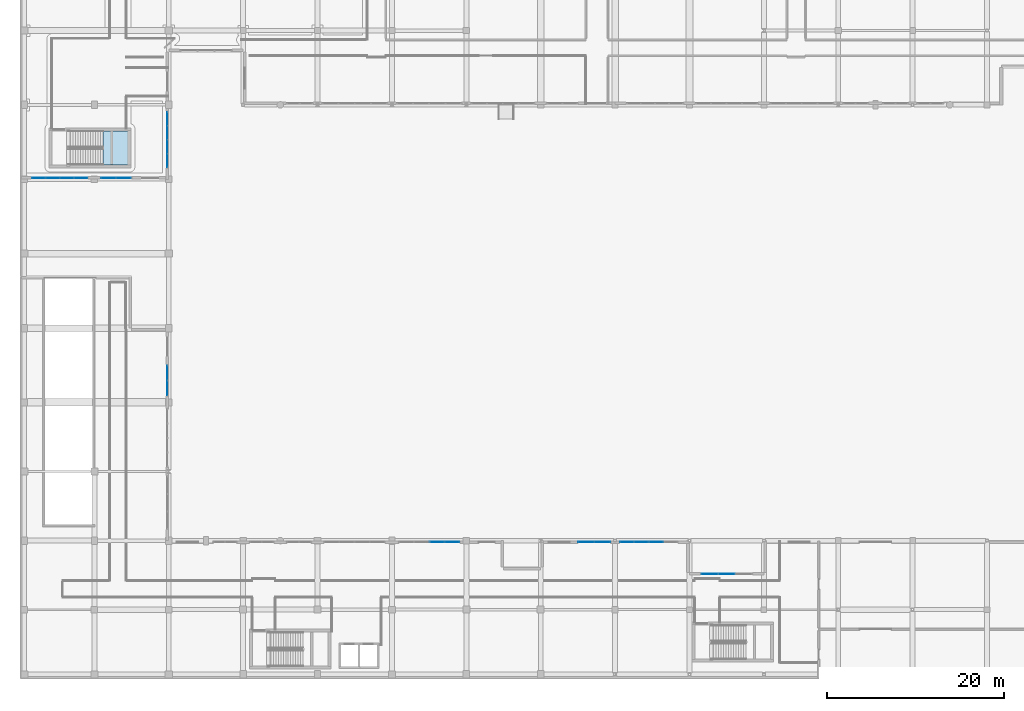
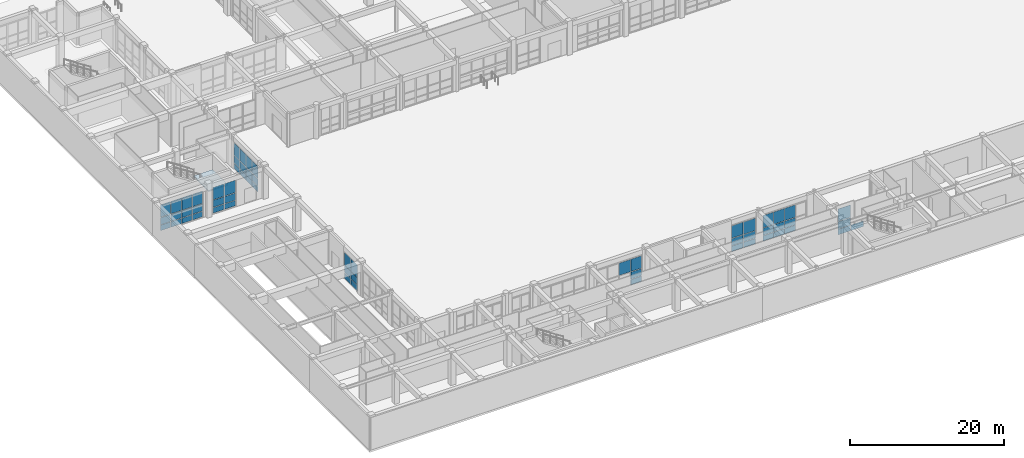
# One storey, part 110 of 148: 59 plates, 1 slab, 9 elements without a shape of their own.
"""IFC4 building model written with IfcOpenShell, lengths in metres."""

from ifc_helpers import new_model, si_unit, direction, frame, origin, origin_2d, place, context, subcontext, project, spatial, polyline, rectangle, outline, extrude, material, layer, layer_set, type_object, element, aggregate, save


model = new_model("IFC4")

# Units and contexts
model_context = context("Model", 3, precision=1e-05, world=origin(), true_north=direction((0.0, 1.0)))
body_context = subcontext(model_context, "Body", "Model", "MODEL_VIEW")
ifc_project = project(units=[si_unit("LENGTHUNIT", "METRE"), si_unit("AREAUNIT", "SQUARE_METRE"), si_unit("VOLUMEUNIT", "CUBIC_METRE"), si_unit("PLANEANGLEUNIT", "RADIAN"), si_unit("MASSUNIT", "GRAM", prefix="KILO")], contexts=[model_context])

# Site, building, storey
site_placement = place(None, origin())
site = spatial("IfcSite", under=ifc_project, at=site_placement, CompositionType="ELEMENT")
building_placement = place(site_placement, origin())
building = spatial("IfcBuilding", under=site, at=building_placement, Name="Quendrovan Civic Courthouse", CompositionType="ELEMENT")
storey_placement = place(building_placement, origin())
storey = spatial("IfcBuildingStorey", under=building, at=storey_placement, Name="L01", CompositionType="ELEMENT", Elevation=0.0)

# Curtain wall, plates
ifc_material_1 = material(Name="Bronze anodised aluminium and low-E glass", Category="aluminium")
ifc_layer_1 = layer(ifc_material_1, 0.179931640625, Name="Bronze anodised aluminium and low-E glass")
ifc_layer_set_1 = layer_set([ifc_layer_1], Name="Bronze anodised aluminium and low-E glass")
curtain_wall_type_1 = type_object("IfcCurtainWallType", Name="CW-U69x42", PredefinedType="USERDEFINED", material=ifc_layer_set_1)
curtain_wall_1_placement = place(storey_placement, origin())
curtain_wall_1 = element("IfcCurtainWall", 1, at=curtain_wall_1_placement, inside=storey, type_object=curtain_wall_type_1, Name="L01 Unitised Hurricane Curtain Wall CW-008", ObjectType="UNITISED CURTAIN WALL", PredefinedType="USERDEFINED")
ifc_material_2 = material(Name="Laminated hurricane-impact low-E glass", Category="glass")
ifc_layer_2 = layer(ifc_material_2, 0.028076171875, Name="Laminated hurricane-impact low-E glass")
ifc_layer_set_2 = layer_set([ifc_layer_2], Name="Laminated hurricane-impact low-E glass")
plate_type_1 = type_object("IfcPlateType", Name="CW-PNL-1", PredefinedType="CURTAIN_PANEL", material=ifc_layer_set_2)
plate_1_placement = place(storey_placement, frame((47.08740234375, 15.43505859375, 2.18505859375), z_axis=(0.0, 0.0, 1.0), x_axis=(1.0, 0.0, 0.0)))
plate_1 = element("IfcPlate", 2, at=plate_1_placement, type_object=plate_type_1, Name="CW-008 panel 3.3", PredefinedType="CURTAIN_PANEL", context=body_context, shape_type="SweptSolid", body=[
    extrude(rectangle(XDim=1.655029296875, YDim=0.028076171875, at=origin_2d()), origin(), (0.0, 0.0, 1.0), 1.945068359375),
])
plate_2_placement = place(storey_placement, frame((48.794921875, 15.43505859375, 0.06982421875), z_axis=(0.0, 0.0, 1.0), x_axis=(1.0, 0.0, 0.0)))
plate_2 = element("IfcPlate", 3, at=plate_2_placement, type_object=plate_type_1, Name="CW-008 panel 4.1", PredefinedType="CURTAIN_PANEL", context=body_context, shape_type="SweptSolid", body=[
    extrude(rectangle(XDim=1.6201171875, YDim=0.028076171875, at=origin_2d()), origin(), (0.0, 0.0, 1.0), 0.844970703125),
])
plate_3_placement = place(storey_placement, frame((48.794921875, 15.43505859375, 0.985107421875), z_axis=(0.0, 0.0, 1.0), x_axis=(1.0, 0.0, 0.0)))
plate_3 = element("IfcPlate", 4, at=plate_3_placement, type_object=plate_type_1, Name="CW-008 panel 4.2", PredefinedType="CURTAIN_PANEL", context=body_context, shape_type="SweptSolid", body=[
    extrude(rectangle(XDim=1.6201171875, YDim=0.028076171875, at=origin_2d()), origin(), (0.0, 0.0, 1.0), 1.1298828125),
])
plate_4_placement = place(storey_placement, frame((48.794921875, 15.43505859375, 2.18505859375), z_axis=(0.0, 0.0, 1.0), x_axis=(1.0, 0.0, 0.0)))
plate_4 = element("IfcPlate", 5, at=plate_4_placement, type_object=plate_type_1, Name="CW-008 panel 4.3", PredefinedType="CURTAIN_PANEL", context=body_context, shape_type="SweptSolid", body=[
    extrude(rectangle(XDim=1.6201171875, YDim=0.028076171875, at=origin_2d()), origin(), (0.0, 0.0, 1.0), 1.945068359375),
])
aggregate(curtain_wall_1, [plate_1, plate_2, plate_3, plate_4])

ifc_layer_3 = layer(ifc_material_1, 0.179931640625, Name="Bronze anodised aluminium and low-E glass")
ifc_layer_set_3 = layer_set([ifc_layer_3], Name="Bronze anodised aluminium and low-E glass")
curtain_wall_type_2 = type_object("IfcCurtainWallType", Name="CW-U35x42", PredefinedType="USERDEFINED", material=ifc_layer_set_3)
curtain_wall_2_placement = place(storey_placement, origin())
curtain_wall_2 = element("IfcCurtainWall", 6, at=curtain_wall_2_placement, inside=storey, type_object=curtain_wall_type_2, Name="L01 Unitised Hurricane Curtain Wall CW-001", ObjectType="UNITISED CURTAIN WALL", PredefinedType="USERDEFINED")
ifc_layer_4 = layer(ifc_material_2, 0.031982421875, Name="Laminated hurricane-impact low-E glass")
ifc_layer_set_4 = layer_set([ifc_layer_4], Name="Laminated hurricane-impact low-E glass")
plate_type_2 = type_object("IfcPlateType", Name="CW-PNL-2", PredefinedType="CURTAIN_PANEL", material=ifc_layer_set_4)
plate_5_placement = place(storey_placement, frame((16.635009765625, 34.514892578125, 0.06494140625), z_axis=(0.0, 0.0, 1.0), x_axis=(0.0, -1.0, 0.0)))
plate_5 = element("IfcPlate", 7, at=plate_5_placement, type_object=plate_type_2, Name="CW-001 panel 1.1", PredefinedType="CURTAIN_PANEL", context=body_context, shape_type="SweptSolid", body=[
    extrude(rectangle(XDim=1.639892578125, YDim=0.031982421875, at=origin_2d()), origin(), (0.0, 0.0, 1.0), 0.8525390625),
])
plate_6_placement = place(storey_placement, frame((16.635009765625, 34.514892578125, 0.982421875), z_axis=(0.0, 0.0, 1.0), x_axis=(0.0, -1.0, 0.0)))
plate_6 = element("IfcPlate", 8, at=plate_6_placement, type_object=plate_type_2, Name="CW-001 panel 1.2", PredefinedType="CURTAIN_PANEL", context=body_context, shape_type="SweptSolid", body=[
    extrude(rectangle(XDim=1.639892578125, YDim=0.031982421875, at=origin_2d()), origin(), (0.0, 0.0, 1.0), 1.135009765625),
])
plate_7_placement = place(storey_placement, frame((16.635009765625, 34.514892578125, 2.1826171875), z_axis=(0.0, 0.0, 1.0), x_axis=(0.0, -1.0, 0.0)))
plate_7 = element("IfcPlate", 9, at=plate_7_placement, type_object=plate_type_2, Name="CW-001 panel 1.3", PredefinedType="CURTAIN_PANEL", context=body_context, shape_type="SweptSolid", body=[
    extrude(rectangle(XDim=1.639892578125, YDim=0.031982421875, at=origin_2d()), origin(), (0.0, 0.0, 1.0), 1.952392578125),
])
plate_8_placement = place(storey_placement, frame((16.635009765625, 32.81005859375, 0.06494140625), z_axis=(0.0, 0.0, 1.0), x_axis=(0.0, -1.0, 0.0)))
plate_8 = element("IfcPlate", 10, at=plate_8_placement, type_object=plate_type_2, Name="CW-001 panel 2.1", PredefinedType="CURTAIN_PANEL", context=body_context, shape_type="SweptSolid", body=[
    extrude(rectangle(XDim=1.639892578125, YDim=0.031982421875, at=origin_2d()), origin(), (0.0, 0.0, 1.0), 0.8525390625),
])
plate_9_placement = place(storey_placement, frame((16.635009765625, 32.81005859375, 0.982421875), z_axis=(0.0, 0.0, 1.0), x_axis=(0.0, -1.0, 0.0)))
plate_9 = element("IfcPlate", 11, at=plate_9_placement, type_object=plate_type_2, Name="CW-001 panel 2.2", PredefinedType="CURTAIN_PANEL", context=body_context, shape_type="SweptSolid", body=[
    extrude(rectangle(XDim=1.639892578125, YDim=0.031982421875, at=origin_2d()), origin(), (0.0, 0.0, 1.0), 1.135009765625),
])
plate_10_placement = place(storey_placement, frame((16.635009765625, 32.81005859375, 2.1826171875), z_axis=(0.0, 0.0, 1.0), x_axis=(0.0, -1.0, 0.0)))
plate_10 = element("IfcPlate", 12, at=plate_10_placement, type_object=plate_type_2, Name="CW-001 panel 2.3", PredefinedType="CURTAIN_PANEL", context=body_context, shape_type="SweptSolid", body=[
    extrude(rectangle(XDim=1.639892578125, YDim=0.031982421875, at=origin_2d()), origin(), (0.0, 0.0, 1.0), 1.952392578125),
])
aggregate(curtain_wall_2, [plate_5, plate_6, plate_7, plate_8, plate_9, plate_10])

ifc_layer_5 = layer(ifc_material_1, 0.179931640625, Name="Bronze anodised aluminium and low-E glass")
ifc_layer_set_5 = layer_set([ifc_layer_5], Name="Bronze anodised aluminium and low-E glass")
curtain_wall_type_3 = type_object("IfcCurtainWallType", Name="CW-U37x42", PredefinedType="USERDEFINED", material=ifc_layer_set_5)
curtain_wall_3_placement = place(storey_placement, origin())
curtain_wall_3 = element("IfcCurtainWall", 13, at=curtain_wall_3_placement, inside=storey, type_object=curtain_wall_type_3, Name="L01 Unitised Hurricane Curtain Wall CW-009", ObjectType="UNITISED CURTAIN WALL", PredefinedType="USERDEFINED")
plate_11_placement = place(storey_placement, frame((63.941162109375, 15.43505859375, 0.06494140625), z_axis=(0.0, 0.0, 1.0), x_axis=(1.0, 0.0, 0.0)))
plate_11 = element("IfcPlate", 14, at=plate_11_placement, type_object=plate_type_2, Name="CW-009 panel 1.1", PredefinedType="CURTAIN_PANEL", context=body_context, shape_type="SweptSolid", body=[
    extrude(rectangle(XDim=1.75244140625, YDim=0.031982421875, at=origin_2d()), origin(), (0.0, 0.0, 1.0), 0.8525390625),
])
plate_12_placement = place(storey_placement, frame((63.941162109375, 15.43505859375, 0.982421875), z_axis=(0.0, 0.0, 1.0), x_axis=(1.0, 0.0, 0.0)))
plate_12 = element("IfcPlate", 15, at=plate_12_placement, type_object=plate_type_2, Name="CW-009 panel 1.2", PredefinedType="CURTAIN_PANEL", context=body_context, shape_type="SweptSolid", body=[
    extrude(rectangle(XDim=1.75244140625, YDim=0.031982421875, at=origin_2d()), origin(), (0.0, 0.0, 1.0), 1.135009765625),
])
plate_13_placement = place(storey_placement, frame((63.941162109375, 15.43505859375, 2.1826171875), z_axis=(0.0, 0.0, 1.0), x_axis=(1.0, 0.0, 0.0)))
plate_13 = element("IfcPlate", 16, at=plate_13_placement, type_object=plate_type_2, Name="CW-009 panel 1.3", PredefinedType="CURTAIN_PANEL", context=body_context, shape_type="SweptSolid", body=[
    extrude(rectangle(XDim=1.75244140625, YDim=0.031982421875, at=origin_2d()), origin(), (0.0, 0.0, 1.0), 1.952392578125),
])
plate_14_placement = place(storey_placement, frame((65.7587890625, 15.43505859375, 0.06494140625), z_axis=(0.0, 0.0, 1.0), x_axis=(1.0, 0.0, 0.0)))
plate_14 = element("IfcPlate", 17, at=plate_14_placement, type_object=plate_type_2, Name="CW-009 panel 2.1", PredefinedType="CURTAIN_PANEL", context=body_context, shape_type="SweptSolid", body=[
    extrude(rectangle(XDim=1.75244140625, YDim=0.031982421875, at=origin_2d()), origin(), (0.0, 0.0, 1.0), 0.8525390625),
])
plate_15_placement = place(storey_placement, frame((65.7587890625, 15.43505859375, 0.982421875), z_axis=(0.0, 0.0, 1.0), x_axis=(1.0, 0.0, 0.0)))
plate_15 = element("IfcPlate", 18, at=plate_15_placement, type_object=plate_type_2, Name="CW-009 panel 2.2", PredefinedType="CURTAIN_PANEL", context=body_context, shape_type="SweptSolid", body=[
    extrude(rectangle(XDim=1.75244140625, YDim=0.031982421875, at=origin_2d()), origin(), (0.0, 0.0, 1.0), 1.135009765625),
])
plate_16_placement = place(storey_placement, frame((65.7587890625, 15.43505859375, 2.1826171875), z_axis=(0.0, 0.0, 1.0), x_axis=(1.0, 0.0, 0.0)))
plate_16 = element("IfcPlate", 19, at=plate_16_placement, type_object=plate_type_2, Name="CW-009 panel 2.3", PredefinedType="CURTAIN_PANEL", context=body_context, shape_type="SweptSolid", body=[
    extrude(rectangle(XDim=1.75244140625, YDim=0.031982421875, at=origin_2d()), origin(), (0.0, 0.0, 1.0), 1.952392578125),
])
aggregate(curtain_wall_3, [plate_11, plate_12, plate_13, plate_14, plate_15, plate_16])

ifc_layer_6 = layer(ifc_material_1, 0.179931640625, Name="Bronze anodised aluminium and low-E glass")
ifc_layer_set_6 = layer_set([ifc_layer_6], Name="Bronze anodised aluminium and low-E glass")
curtain_wall_type_4 = type_object("IfcCurtainWallType", Name="CW-U63x42", PredefinedType="USERDEFINED", material=ifc_layer_set_6)
curtain_wall_4_placement = place(storey_placement, origin())
curtain_wall_4 = element("IfcCurtainWall", 20, at=curtain_wall_4_placement, inside=storey, type_object=curtain_wall_type_4, Name="L01 Unitised Hurricane Curtain Wall CW-013", ObjectType="UNITISED CURTAIN WALL", PredefinedType="USERDEFINED")
plate_17_placement = place(storey_placement, frame((16.635009765625, 63.218017578125, 0.06494140625), z_axis=(0.0, 0.0, 1.0), x_axis=(0.0, -1.0, 0.0)))
plate_17 = element("IfcPlate", 21, at=plate_17_placement, type_object=plate_type_2, Name="CW-013 panel 1.1", PredefinedType="CURTAIN_PANEL", context=body_context, shape_type="SweptSolid", body=[
    extrude(rectangle(XDim=1.483642578125, YDim=0.031982421875, at=origin_2d()), origin(), (0.0, 0.0, 1.0), 0.8525390625),
])
plate_18_placement = place(storey_placement, frame((16.635009765625, 63.218017578125, 0.982421875), z_axis=(0.0, 0.0, 1.0), x_axis=(0.0, -1.0, 0.0)))
plate_18 = element("IfcPlate", 22, at=plate_18_placement, type_object=plate_type_2, Name="CW-013 panel 1.2", PredefinedType="CURTAIN_PANEL", context=body_context, shape_type="SweptSolid", body=[
    extrude(rectangle(XDim=1.483642578125, YDim=0.031982421875, at=origin_2d()), origin(), (0.0, 0.0, 1.0), 1.135009765625),
])
plate_19_placement = place(storey_placement, frame((16.635009765625, 63.218017578125, 2.1826171875), z_axis=(0.0, 0.0, 1.0), x_axis=(0.0, -1.0, 0.0)))
plate_19 = element("IfcPlate", 23, at=plate_19_placement, type_object=plate_type_2, Name="CW-013 panel 1.3", PredefinedType="CURTAIN_PANEL", context=body_context, shape_type="SweptSolid", body=[
    extrude(rectangle(XDim=1.483642578125, YDim=0.031982421875, at=origin_2d()), origin(), (0.0, 0.0, 1.0), 1.952392578125),
])
plate_20_placement = place(storey_placement, frame((16.635009765625, 61.653076171875, 0.06494140625), z_axis=(0.0, 0.0, 1.0), x_axis=(0.0, -1.0, 0.0)))
plate_20 = element("IfcPlate", 24, at=plate_20_placement, type_object=plate_type_2, Name="CW-013 panel 2.1", PredefinedType="CURTAIN_PANEL", context=body_context, shape_type="SweptSolid", body=[
    extrude(rectangle(XDim=1.516357421875, YDim=0.031982421875, at=origin_2d()), origin(), (0.0, 0.0, 1.0), 0.8525390625),
])
plate_21_placement = place(storey_placement, frame((16.635009765625, 61.653076171875, 0.982421875), z_axis=(0.0, 0.0, 1.0), x_axis=(0.0, -1.0, 0.0)))
plate_21 = element("IfcPlate", 25, at=plate_21_placement, type_object=plate_type_2, Name="CW-013 panel 2.2", PredefinedType="CURTAIN_PANEL", context=body_context, shape_type="SweptSolid", body=[
    extrude(rectangle(XDim=1.516357421875, YDim=0.031982421875, at=origin_2d()), origin(), (0.0, 0.0, 1.0), 1.135009765625),
])
plate_22_placement = place(storey_placement, frame((16.635009765625, 61.653076171875, 2.1826171875), z_axis=(0.0, 0.0, 1.0), x_axis=(0.0, -1.0, 0.0)))
plate_22 = element("IfcPlate", 26, at=plate_22_placement, type_object=plate_type_2, Name="CW-013 panel 2.3", PredefinedType="CURTAIN_PANEL", context=body_context, shape_type="SweptSolid", body=[
    extrude(rectangle(XDim=1.516357421875, YDim=0.031982421875, at=origin_2d()), origin(), (0.0, 0.0, 1.0), 1.952392578125),
])
plate_23_placement = place(storey_placement, frame((16.635009765625, 60.07177734375, 0.06494140625), z_axis=(0.0, 0.0, 1.0), x_axis=(0.0, -1.0, 0.0)))
plate_23 = element("IfcPlate", 27, at=plate_23_placement, type_object=plate_type_2, Name="CW-013 panel 3.1", PredefinedType="CURTAIN_PANEL", context=body_context, shape_type="SweptSolid", body=[
    extrude(rectangle(XDim=1.516357421875, YDim=0.031982421875, at=origin_2d()), origin(), (0.0, 0.0, 1.0), 0.8525390625),
])
plate_24_placement = place(storey_placement, frame((16.635009765625, 60.07177734375, 0.982421875), z_axis=(0.0, 0.0, 1.0), x_axis=(0.0, -1.0, 0.0)))
plate_24 = element("IfcPlate", 28, at=plate_24_placement, type_object=plate_type_2, Name="CW-013 panel 3.2", PredefinedType="CURTAIN_PANEL", context=body_context, shape_type="SweptSolid", body=[
    extrude(rectangle(XDim=1.516357421875, YDim=0.031982421875, at=origin_2d()), origin(), (0.0, 0.0, 1.0), 1.135009765625),
])
plate_25_placement = place(storey_placement, frame((16.635009765625, 60.07177734375, 2.1826171875), z_axis=(0.0, 0.0, 1.0), x_axis=(0.0, -1.0, 0.0)))
plate_25 = element("IfcPlate", 29, at=plate_25_placement, type_object=plate_type_2, Name="CW-013 panel 3.3", PredefinedType="CURTAIN_PANEL", context=body_context, shape_type="SweptSolid", body=[
    extrude(rectangle(XDim=1.516357421875, YDim=0.031982421875, at=origin_2d()), origin(), (0.0, 0.0, 1.0), 1.952392578125),
])
plate_26_placement = place(storey_placement, frame((16.635009765625, 58.5068359375, 0.06494140625), z_axis=(0.0, 0.0, 1.0), x_axis=(0.0, -1.0, 0.0)))
plate_26 = element("IfcPlate", 30, at=plate_26_placement, type_object=plate_type_2, Name="CW-013 panel 4.1", PredefinedType="CURTAIN_PANEL", context=body_context, shape_type="SweptSolid", body=[
    extrude(rectangle(XDim=1.483642578125, YDim=0.031982421875, at=origin_2d()), origin(), (0.0, 0.0, 1.0), 0.8525390625),
])
plate_27_placement = place(storey_placement, frame((16.635009765625, 58.5068359375, 0.982421875), z_axis=(0.0, 0.0, 1.0), x_axis=(0.0, -1.0, 0.0)))
plate_27 = element("IfcPlate", 31, at=plate_27_placement, type_object=plate_type_2, Name="CW-013 panel 4.2", PredefinedType="CURTAIN_PANEL", context=body_context, shape_type="SweptSolid", body=[
    extrude(rectangle(XDim=1.483642578125, YDim=0.031982421875, at=origin_2d()), origin(), (0.0, 0.0, 1.0), 1.135009765625),
])
plate_28_placement = place(storey_placement, frame((16.635009765625, 58.5068359375, 2.1826171875), z_axis=(0.0, 0.0, 1.0), x_axis=(0.0, -1.0, 0.0)))
plate_28 = element("IfcPlate", 32, at=plate_28_placement, type_object=plate_type_2, Name="CW-013 panel 4.3", PredefinedType="CURTAIN_PANEL", context=body_context, shape_type="SweptSolid", body=[
    extrude(rectangle(XDim=1.483642578125, YDim=0.031982421875, at=origin_2d()), origin(), (0.0, 0.0, 1.0), 1.952392578125),
])
aggregate(curtain_wall_4, [plate_17, plate_18, plate_19, plate_20, plate_21, plate_22, plate_23, plate_24, plate_25, plate_26, plate_27, plate_28])

ifc_layer_7 = layer(ifc_material_1, 0.179931640625, Name="Bronze anodised aluminium and low-E glass")
ifc_layer_set_7 = layer_set([ifc_layer_7], Name="Bronze anodised aluminium and low-E glass")
curtain_wall_type_5 = type_object("IfcCurtainWallType", Name="CW-U66x42", PredefinedType="USERDEFINED", material=ifc_layer_set_7)
curtain_wall_5_placement = place(storey_placement, origin())
curtain_wall_5 = element("IfcCurtainWall", 33, at=curtain_wall_5_placement, inside=storey, type_object=curtain_wall_type_5, Name="L01 Unitised Hurricane Curtain Wall CW-010", ObjectType="UNITISED CURTAIN WALL", PredefinedType="USERDEFINED")
ifc_layer_8 = layer(ifc_material_2, 0.035888671875, Name="Laminated hurricane-impact low-E glass")
ifc_layer_set_8 = layer_set([ifc_layer_8], Name="Laminated hurricane-impact low-E glass")
plate_type_3 = type_object("IfcPlateType", Name="CW-PNL-3", PredefinedType="CURTAIN_PANEL", material=ifc_layer_set_8)
plate_29_placement = place(storey_placement, frame((68.54248046875, 15.43505859375, 0.06982421875), z_axis=(0.0, 0.0, 1.0), x_axis=(1.0, 0.0, 0.0)))
plate_29 = element("IfcPlate", 34, at=plate_29_placement, type_object=plate_type_3, Name="CW-010 panel 1.1", PredefinedType="CURTAIN_PANEL", context=body_context, shape_type="SweptSolid", body=[
    extrude(rectangle(XDim=1.544921875, YDim=0.035888671875, at=origin_2d()), origin(), (0.0, 0.0, 1.0), 0.844970703125),
])
plate_30_placement = place(storey_placement, frame((68.54248046875, 15.43505859375, 0.985107421875), z_axis=(0.0, 0.0, 1.0), x_axis=(1.0, 0.0, 0.0)))
plate_30 = element("IfcPlate", 35, at=plate_30_placement, type_object=plate_type_3, Name="CW-010 panel 1.2", PredefinedType="CURTAIN_PANEL", context=body_context, shape_type="SweptSolid", body=[
    extrude(rectangle(XDim=1.544921875, YDim=0.035888671875, at=origin_2d()), origin(), (0.0, 0.0, 1.0), 1.1298828125),
])
plate_31_placement = place(storey_placement, frame((68.54248046875, 15.43505859375, 2.18505859375), z_axis=(0.0, 0.0, 1.0), x_axis=(1.0, 0.0, 0.0)))
plate_31 = element("IfcPlate", 36, at=plate_31_placement, type_object=plate_type_3, Name="CW-010 panel 1.3", PredefinedType="CURTAIN_PANEL", context=body_context, shape_type="SweptSolid", body=[
    extrude(rectangle(XDim=1.544921875, YDim=0.035888671875, at=origin_2d()), origin(), (0.0, 0.0, 1.0), 1.945068359375),
])
plate_32_placement = place(storey_placement, frame((70.175048828125, 15.43505859375, 0.06982421875), z_axis=(0.0, 0.0, 1.0), x_axis=(1.0, 0.0, 0.0)))
plate_32 = element("IfcPlate", 37, at=plate_32_placement, type_object=plate_type_3, Name="CW-010 panel 2.1", PredefinedType="CURTAIN_PANEL", context=body_context, shape_type="SweptSolid", body=[
    extrude(rectangle(XDim=1.580078125, YDim=0.035888671875, at=origin_2d()), origin(), (0.0, 0.0, 1.0), 0.844970703125),
])
plate_33_placement = place(storey_placement, frame((70.175048828125, 15.43505859375, 0.985107421875), z_axis=(0.0, 0.0, 1.0), x_axis=(1.0, 0.0, 0.0)))
plate_33 = element("IfcPlate", 38, at=plate_33_placement, type_object=plate_type_3, Name="CW-010 panel 2.2", PredefinedType="CURTAIN_PANEL", context=body_context, shape_type="SweptSolid", body=[
    extrude(rectangle(XDim=1.580078125, YDim=0.035888671875, at=origin_2d()), origin(), (0.0, 0.0, 1.0), 1.1298828125),
])
plate_34_placement = place(storey_placement, frame((70.175048828125, 15.43505859375, 2.18505859375), z_axis=(0.0, 0.0, 1.0), x_axis=(1.0, 0.0, 0.0)))
plate_34 = element("IfcPlate", 39, at=plate_34_placement, type_object=plate_type_3, Name="CW-010 panel 2.3", PredefinedType="CURTAIN_PANEL", context=body_context, shape_type="SweptSolid", body=[
    extrude(rectangle(XDim=1.580078125, YDim=0.035888671875, at=origin_2d()), origin(), (0.0, 0.0, 1.0), 1.945068359375),
])
plate_35_placement = place(storey_placement, frame((71.824951171875, 15.43505859375, 0.06982421875), z_axis=(0.0, 0.0, 1.0), x_axis=(1.0, 0.0, 0.0)))
plate_35 = element("IfcPlate", 40, at=plate_35_placement, type_object=plate_type_3, Name="CW-010 panel 3.1", PredefinedType="CURTAIN_PANEL", context=body_context, shape_type="SweptSolid", body=[
    extrude(rectangle(XDim=1.580078125, YDim=0.035888671875, at=origin_2d()), origin(), (0.0, 0.0, 1.0), 0.844970703125),
])
plate_36_placement = place(storey_placement, frame((71.824951171875, 15.43505859375, 0.985107421875), z_axis=(0.0, 0.0, 1.0), x_axis=(1.0, 0.0, 0.0)))
plate_36 = element("IfcPlate", 41, at=plate_36_placement, type_object=plate_type_3, Name="CW-010 panel 3.2", PredefinedType="CURTAIN_PANEL", context=body_context, shape_type="SweptSolid", body=[
    extrude(rectangle(XDim=1.580078125, YDim=0.035888671875, at=origin_2d()), origin(), (0.0, 0.0, 1.0), 1.1298828125),
])
plate_37_placement = place(storey_placement, frame((71.824951171875, 15.43505859375, 2.18505859375), z_axis=(0.0, 0.0, 1.0), x_axis=(1.0, 0.0, 0.0)))
plate_37 = element("IfcPlate", 42, at=plate_37_placement, type_object=plate_type_3, Name="CW-010 panel 3.3", PredefinedType="CURTAIN_PANEL", context=body_context, shape_type="SweptSolid", body=[
    extrude(rectangle(XDim=1.580078125, YDim=0.035888671875, at=origin_2d()), origin(), (0.0, 0.0, 1.0), 1.945068359375),
])
aggregate(curtain_wall_5, [plate_29, plate_30, plate_31, plate_32, plate_33, plate_34, plate_35, plate_36, plate_37])

curtain_wall_6_placement = place(storey_placement, origin())
curtain_wall_6 = element("IfcCurtainWall", 43, at=curtain_wall_6_placement, inside=storey, type_object=curtain_wall_type_2, Name="L01 Unitised Hurricane Curtain Wall CW-014", ObjectType="UNITISED CURTAIN WALL", PredefinedType="USERDEFINED")
plate_38_placement = place(storey_placement, frame((11.7138671875, 56.56494140625, 0.06982421875), z_axis=(0.0, 0.0, 1.0), x_axis=(-1.0, 0.0, 0.0)))
plate_38 = element("IfcPlate", 44, at=plate_38_placement, type_object=plate_type_3, Name="CW-014 panel 1.1", PredefinedType="CURTAIN_PANEL", context=body_context, shape_type="SweptSolid", body=[
    extrude(rectangle(XDim=1.632568359375, YDim=0.035888671875, at=origin_2d()), origin(), (0.0, 0.0, 1.0), 0.844970703125),
])
plate_39_placement = place(storey_placement, frame((11.7138671875, 56.56494140625, 0.985107421875), z_axis=(0.0, 0.0, 1.0), x_axis=(-1.0, 0.0, 0.0)))
plate_39 = element("IfcPlate", 45, at=plate_39_placement, type_object=plate_type_3, Name="CW-014 panel 1.2", PredefinedType="CURTAIN_PANEL", context=body_context, shape_type="SweptSolid", body=[
    extrude(rectangle(XDim=1.632568359375, YDim=0.035888671875, at=origin_2d()), origin(), (0.0, 0.0, 1.0), 1.1298828125),
])
plate_40_placement = place(storey_placement, frame((11.7138671875, 56.56494140625, 2.18505859375), z_axis=(0.0, 0.0, 1.0), x_axis=(-1.0, 0.0, 0.0)))
plate_40 = element("IfcPlate", 46, at=plate_40_placement, type_object=plate_type_3, Name="CW-014 panel 1.3", PredefinedType="CURTAIN_PANEL", context=body_context, shape_type="SweptSolid", body=[
    extrude(rectangle(XDim=1.632568359375, YDim=0.035888671875, at=origin_2d()), origin(), (0.0, 0.0, 1.0), 1.945068359375),
])
plate_41_placement = place(storey_placement, frame((10.01123046875, 56.56494140625, 0.06982421875), z_axis=(0.0, 0.0, 1.0), x_axis=(-1.0, 0.0, 0.0)))
plate_41 = element("IfcPlate", 47, at=plate_41_placement, type_object=plate_type_3, Name="CW-014 panel 2.1", PredefinedType="CURTAIN_PANEL", context=body_context, shape_type="SweptSolid", body=[
    extrude(rectangle(XDim=1.632568359375, YDim=0.035888671875, at=origin_2d()), origin(), (0.0, 0.0, 1.0), 0.844970703125),
])
plate_42_placement = place(storey_placement, frame((10.01123046875, 56.56494140625, 0.985107421875), z_axis=(0.0, 0.0, 1.0), x_axis=(-1.0, 0.0, 0.0)))
plate_42 = element("IfcPlate", 48, at=plate_42_placement, type_object=plate_type_3, Name="CW-014 panel 2.2", PredefinedType="CURTAIN_PANEL", context=body_context, shape_type="SweptSolid", body=[
    extrude(rectangle(XDim=1.632568359375, YDim=0.035888671875, at=origin_2d()), origin(), (0.0, 0.0, 1.0), 1.1298828125),
])
plate_43_placement = place(storey_placement, frame((10.01123046875, 56.56494140625, 2.18505859375), z_axis=(0.0, 0.0, 1.0), x_axis=(-1.0, 0.0, 0.0)))
plate_43 = element("IfcPlate", 49, at=plate_43_placement, type_object=plate_type_3, Name="CW-014 panel 2.3", PredefinedType="CURTAIN_PANEL", context=body_context, shape_type="SweptSolid", body=[
    extrude(rectangle(XDim=1.632568359375, YDim=0.035888671875, at=origin_2d()), origin(), (0.0, 0.0, 1.0), 1.945068359375),
])
aggregate(curtain_wall_6, [plate_38, plate_39, plate_40, plate_41, plate_42, plate_43])

ifc_layer_9 = layer(ifc_material_1, 0.179931640625, Name="Bronze anodised aluminium and low-E glass")
ifc_layer_set_9 = layer_set([ifc_layer_9], Name="Bronze anodised aluminium and low-E glass")
curtain_wall_type_6 = type_object("IfcCurtainWallType", Name="CW-U58x42", PredefinedType="USERDEFINED", material=ifc_layer_set_9)
curtain_wall_7_placement = place(storey_placement, origin())
curtain_wall_7 = element("IfcCurtainWall", 50, at=curtain_wall_7_placement, inside=storey, type_object=curtain_wall_type_6, Name="L01 Unitised Hurricane Curtain Wall CW-011", ObjectType="UNITISED CURTAIN WALL", PredefinedType="USERDEFINED")
ifc_layer_10 = layer(ifc_material_2, 0.0419921875, Name="Laminated hurricane-impact low-E glass")
ifc_layer_set_10 = layer_set([ifc_layer_10], Name="Laminated hurricane-impact low-E glass")
plate_type_4 = type_object("IfcPlateType", Name="CW-PNL-4", PredefinedType="CURTAIN_PANEL", material=ifc_layer_set_10)
plate_44_placement = place(storey_placement, frame((77.8828125, 11.8349609375, 0.06494140625), z_axis=(0.0, 0.0, 1.0), x_axis=(1.0, 0.0, 0.0)))
plate_44 = element("IfcPlate", 51, at=plate_44_placement, type_object=plate_type_4, Name="CW-011 panel 1.1", PredefinedType="CURTAIN_PANEL", context=body_context, shape_type="SweptSolid", body=[
    extrude(rectangle(XDim=1.8359375, YDim=0.0419921875, at=origin_2d()), origin(), (0.0, 0.0, 1.0), 0.8525390625),
])
plate_45_placement = place(storey_placement, frame((77.8828125, 11.8349609375, 0.982421875), z_axis=(0.0, 0.0, 1.0), x_axis=(1.0, 0.0, 0.0)))
plate_45 = element("IfcPlate", 52, at=plate_45_placement, type_object=plate_type_4, Name="CW-011 panel 1.2", PredefinedType="CURTAIN_PANEL", context=body_context, shape_type="SweptSolid", body=[
    extrude(rectangle(XDim=1.8359375, YDim=0.0419921875, at=origin_2d()), origin(), (0.0, 0.0, 1.0), 1.135009765625),
])
plate_46_placement = place(storey_placement, frame((77.8828125, 11.8349609375, 2.1826171875), z_axis=(0.0, 0.0, 1.0), x_axis=(1.0, 0.0, 0.0)))
plate_46 = element("IfcPlate", 53, at=plate_46_placement, type_object=plate_type_4, Name="CW-011 panel 1.3", PredefinedType="CURTAIN_PANEL", context=body_context, shape_type="SweptSolid", body=[
    extrude(rectangle(XDim=1.8359375, YDim=0.0419921875, at=origin_2d()), origin(), (0.0, 0.0, 1.0), 1.952392578125),
])
plate_47_placement = place(storey_placement, frame((79.800048828125, 11.8349609375, 0.06494140625), z_axis=(0.0, 0.0, 1.0), x_axis=(1.0, 0.0, 0.0)))
plate_47 = element("IfcPlate", 54, at=plate_47_placement, type_object=plate_type_4, Name="CW-011 panel 2.1", PredefinedType="CURTAIN_PANEL", context=body_context, shape_type="SweptSolid", body=[
    extrude(rectangle(XDim=1.868408203125, YDim=0.0419921875, at=origin_2d()), origin(), (0.0, 0.0, 1.0), 0.8525390625),
])
aggregate(curtain_wall_7, [plate_44, plate_45, plate_46, plate_47])

ifc_layer_11 = layer(ifc_material_1, 0.179931640625, Name="Bronze anodised aluminium and low-E glass")
ifc_layer_set_11 = layer_set([ifc_layer_11], Name="Bronze anodised aluminium and low-E glass")
curtain_wall_type_7 = type_object("IfcCurtainWallType", Name="CW-U64x42", PredefinedType="USERDEFINED", material=ifc_layer_set_11)
curtain_wall_8_placement = place(storey_placement, origin())
curtain_wall_8 = element("IfcCurtainWall", 55, at=curtain_wall_8_placement, inside=storey, type_object=curtain_wall_type_7, Name="L01 Unitised Hurricane Curtain Wall CW-015", ObjectType="UNITISED CURTAIN WALL", PredefinedType="USERDEFINED")
plate_48_placement = place(storey_placement, frame((6.86181640625, 56.56494140625, 0.06494140625), z_axis=(0.0, 0.0, 1.0), x_axis=(-1.0, 0.0, 0.0)))
plate_48 = element("IfcPlate", 56, at=plate_48_placement, type_object=plate_type_4, Name="CW-015 panel 1.1", PredefinedType="CURTAIN_PANEL", context=body_context, shape_type="SweptSolid", body=[
    extrude(rectangle(XDim=1.496337890625, YDim=0.0419921875, at=origin_2d()), origin(), (0.0, 0.0, 1.0), 0.8525390625),
])
plate_49_placement = place(storey_placement, frame((6.86181640625, 56.56494140625, 0.982421875), z_axis=(0.0, 0.0, 1.0), x_axis=(-1.0, 0.0, 0.0)))
plate_49 = element("IfcPlate", 57, at=plate_49_placement, type_object=plate_type_4, Name="CW-015 panel 1.2", PredefinedType="CURTAIN_PANEL", context=body_context, shape_type="SweptSolid", body=[
    extrude(rectangle(XDim=1.496337890625, YDim=0.0419921875, at=origin_2d()), origin(), (0.0, 0.0, 1.0), 1.135009765625),
])
plate_50_placement = place(storey_placement, frame((6.86181640625, 56.56494140625, 2.1826171875), z_axis=(0.0, 0.0, 1.0), x_axis=(-1.0, 0.0, 0.0)))
plate_50 = element("IfcPlate", 58, at=plate_50_placement, type_object=plate_type_4, Name="CW-015 panel 1.3", PredefinedType="CURTAIN_PANEL", context=body_context, shape_type="SweptSolid", body=[
    extrude(rectangle(XDim=1.496337890625, YDim=0.0419921875, at=origin_2d()), origin(), (0.0, 0.0, 1.0), 1.952392578125),
])
plate_51_placement = place(storey_placement, frame((5.284423828125, 56.56494140625, 0.06494140625), z_axis=(0.0, 0.0, 1.0), x_axis=(-1.0, 0.0, 0.0)))
plate_51 = element("IfcPlate", 59, at=plate_51_placement, type_object=plate_type_4, Name="CW-015 panel 2.1", PredefinedType="CURTAIN_PANEL", context=body_context, shape_type="SweptSolid", body=[
    extrude(rectangle(XDim=1.52880859375, YDim=0.0419921875, at=origin_2d()), origin(), (0.0, 0.0, 1.0), 0.8525390625),
])
plate_52_placement = place(storey_placement, frame((5.284423828125, 56.56494140625, 0.982421875), z_axis=(0.0, 0.0, 1.0), x_axis=(-1.0, 0.0, 0.0)))
plate_52 = element("IfcPlate", 60, at=plate_52_placement, type_object=plate_type_4, Name="CW-015 panel 2.2", PredefinedType="CURTAIN_PANEL", context=body_context, shape_type="SweptSolid", body=[
    extrude(rectangle(XDim=1.52880859375, YDim=0.0419921875, at=origin_2d()), origin(), (0.0, 0.0, 1.0), 1.135009765625),
])
plate_53_placement = place(storey_placement, frame((5.284423828125, 56.56494140625, 2.1826171875), z_axis=(0.0, 0.0, 1.0), x_axis=(-1.0, 0.0, 0.0)))
plate_53 = element("IfcPlate", 61, at=plate_53_placement, type_object=plate_type_4, Name="CW-015 panel 2.3", PredefinedType="CURTAIN_PANEL", context=body_context, shape_type="SweptSolid", body=[
    extrude(rectangle(XDim=1.52880859375, YDim=0.0419921875, at=origin_2d()), origin(), (0.0, 0.0, 1.0), 1.952392578125),
])
plate_54_placement = place(storey_placement, frame((3.690673828125, 56.56494140625, 0.06494140625), z_axis=(0.0, 0.0, 1.0), x_axis=(-1.0, 0.0, 0.0)))
plate_54 = element("IfcPlate", 62, at=plate_54_placement, type_object=plate_type_4, Name="CW-015 panel 3.1", PredefinedType="CURTAIN_PANEL", context=body_context, shape_type="SweptSolid", body=[
    extrude(rectangle(XDim=1.52880859375, YDim=0.0419921875, at=origin_2d()), origin(), (0.0, 0.0, 1.0), 0.8525390625),
])
plate_55_placement = place(storey_placement, frame((3.690673828125, 56.56494140625, 0.982421875), z_axis=(0.0, 0.0, 1.0), x_axis=(-1.0, 0.0, 0.0)))
plate_55 = element("IfcPlate", 63, at=plate_55_placement, type_object=plate_type_4, Name="CW-015 panel 3.2", PredefinedType="CURTAIN_PANEL", context=body_context, shape_type="SweptSolid", body=[
    extrude(rectangle(XDim=1.52880859375, YDim=0.0419921875, at=origin_2d()), origin(), (0.0, 0.0, 1.0), 1.135009765625),
])
plate_56_placement = place(storey_placement, frame((3.690673828125, 56.56494140625, 2.1826171875), z_axis=(0.0, 0.0, 1.0), x_axis=(-1.0, 0.0, 0.0)))
plate_56 = element("IfcPlate", 64, at=plate_56_placement, type_object=plate_type_4, Name="CW-015 panel 3.3", PredefinedType="CURTAIN_PANEL", context=body_context, shape_type="SweptSolid", body=[
    extrude(rectangle(XDim=1.52880859375, YDim=0.0419921875, at=origin_2d()), origin(), (0.0, 0.0, 1.0), 1.952392578125),
])
plate_57_placement = place(storey_placement, frame((2.113037109375, 56.56494140625, 0.06494140625), z_axis=(0.0, 0.0, 1.0), x_axis=(-1.0, 0.0, 0.0)))
plate_57 = element("IfcPlate", 65, at=plate_57_placement, type_object=plate_type_4, Name="CW-015 panel 4.1", PredefinedType="CURTAIN_PANEL", context=body_context, shape_type="SweptSolid", body=[
    extrude(rectangle(XDim=1.496337890625, YDim=0.0419921875, at=origin_2d()), origin(), (0.0, 0.0, 1.0), 0.8525390625),
])
plate_58_placement = place(storey_placement, frame((2.113037109375, 56.56494140625, 0.982421875), z_axis=(0.0, 0.0, 1.0), x_axis=(-1.0, 0.0, 0.0)))
plate_58 = element("IfcPlate", 66, at=plate_58_placement, type_object=plate_type_4, Name="CW-015 panel 4.2", PredefinedType="CURTAIN_PANEL", context=body_context, shape_type="SweptSolid", body=[
    extrude(rectangle(XDim=1.496337890625, YDim=0.0419921875, at=origin_2d()), origin(), (0.0, 0.0, 1.0), 1.135009765625),
])
plate_59_placement = place(storey_placement, frame((2.113037109375, 56.56494140625, 2.1826171875), z_axis=(0.0, 0.0, 1.0), x_axis=(-1.0, 0.0, 0.0)))
plate_59 = element("IfcPlate", 67, at=plate_59_placement, type_object=plate_type_4, Name="CW-015 panel 4.3", PredefinedType="CURTAIN_PANEL", context=body_context, shape_type="SweptSolid", body=[
    extrude(rectangle(XDim=1.496337890625, YDim=0.0419921875, at=origin_2d()), origin(), (0.0, 0.0, 1.0), 1.952392578125),
])
aggregate(curtain_wall_8, [plate_48, plate_49, plate_50, plate_51, plate_52, plate_53, plate_54, plate_55, plate_56, plate_57, plate_58, plate_59])

# Stair, slab
ifc_material_3 = material(Name="Concrete C40/50", Category="concrete")
stair_type = type_object("IfcStairType", Name="STR-CORE-5400", PredefinedType="HALF_TURN_STAIR", material=ifc_material_3)
stair_placement = place(storey_placement, origin())
stair = element("IfcStair", 68, at=stair_placement, inside=storey, type_object=stair_type, Name="L01 Law Library Wing Exit Stair 4", PredefinedType="HALF_TURN_STAIR")
ifc_layer_12 = layer(ifc_material_3, 0.199951171875, Name="Concrete C40/50")
ifc_layer_set_12 = layer_set([ifc_layer_12], Name="Concrete C40/50")
slab_type = type_object("IfcSlabType", Name="SLB-STAIR-LND200", PredefinedType="LANDING", material=ifc_layer_set_12)
slab_placement = place(storey_placement, frame((0.0, 0.0, 2.5)))
slab = element("IfcSlab", 69, at=slab_placement, type_object=slab_type, Name="ST4 landing 1", PredefinedType="LANDING", context=body_context, shape_type="SweptSolid", body=[
    extrude(outline(polyline([(9.3701171875, 58.0), (12.199951171875, 58.0), (12.199951171875, 61.8798828125), (9.3701171875, 61.8798828125), (9.3701171875, 58.0)])), origin(), (0.0, 0.0, 1.0), 0.199951171875),
])
aggregate(stair, [slab])

save(model, "model.ifc")
